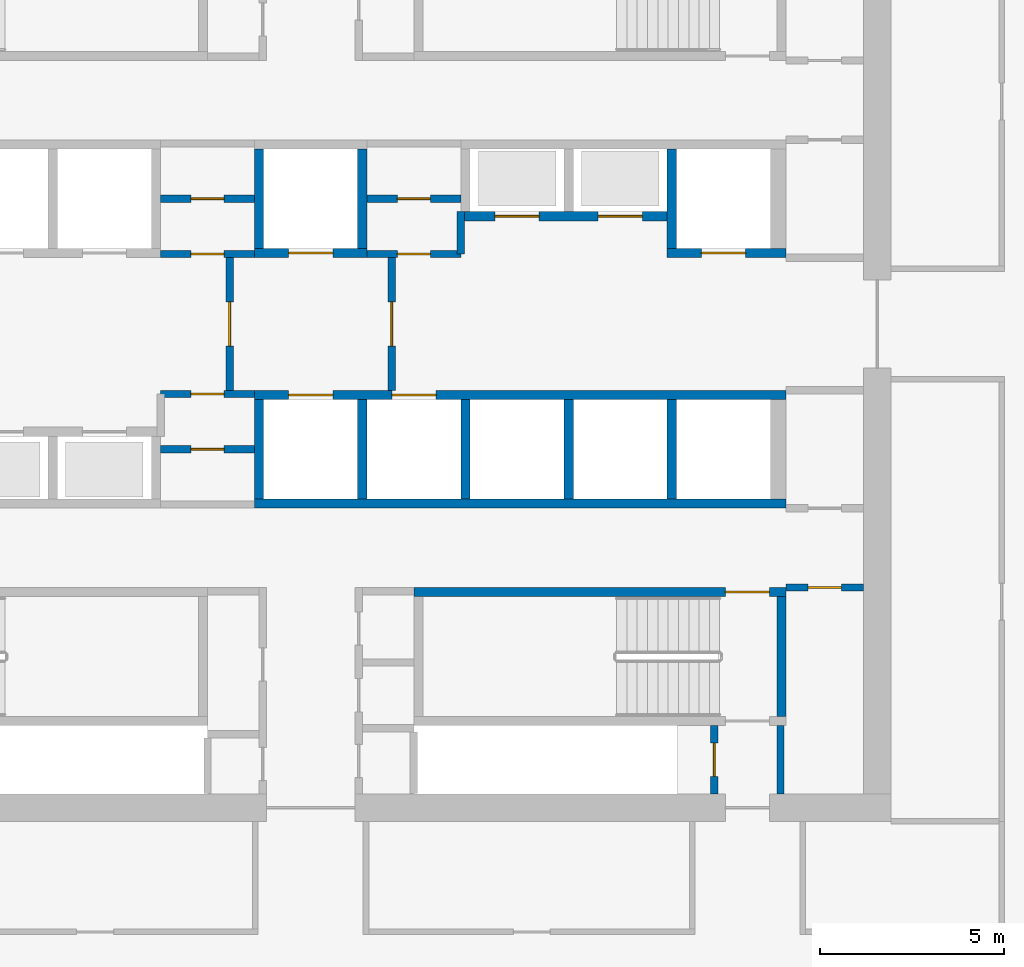
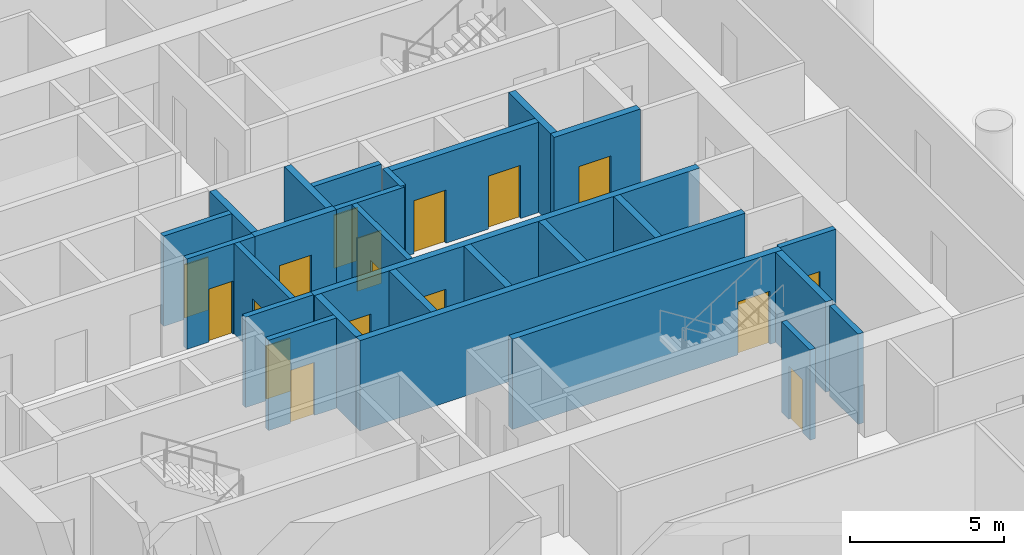
# One storey, part 11 of 24: 27 walls, 17 doors, 17 openings.
"""IFC4 building model written with IfcOpenShell, lengths in metres."""

from ifc_helpers import new_model, si_unit, direction, frame, frame_2d, origin, place, context, subcontext, project, spatial, polyline, rectangle, outline, extrude, material, layer, layer_set, type_object, element, fill, save


model = new_model("IFC4")

# Units and contexts
model_context = context("Model", 3, precision=1e-05, world=origin(), true_north=direction((0.0, 1.0)))
body_context = subcontext(model_context, "Body", "Model", "MODEL_VIEW")
ifc_project = project(units=[si_unit("LENGTHUNIT", "METRE"), si_unit("AREAUNIT", "SQUARE_METRE"), si_unit("VOLUMEUNIT", "CUBIC_METRE"), si_unit("PLANEANGLEUNIT", "RADIAN"), si_unit("MASSUNIT", "GRAM", prefix="KILO")], contexts=[model_context])

# Site, building, storey
site_placement = place(None, origin())
site = spatial("IfcSite", under=ifc_project, at=site_placement, CompositionType="ELEMENT")
building_placement = place(site_placement, origin())
building = spatial("IfcBuilding", under=site, at=building_placement, Name="Dhurran Vertical Campus", CompositionType="ELEMENT")
storey_placement = place(building_placement, frame((0.0, 0.0, 132.60009765625)))
storey = spatial("IfcBuildingStorey", under=building, at=storey_placement, Name="L32", CompositionType="ELEMENT", Elevation=132.60009765625)

# Wall, opening, door
ifc_material_1 = material(Name="Fire-rated masonry blockwork", Category="masonry")
ifc_layer_1 = layer(ifc_material_1, 0.199951171875)
ifc_layer_set_1 = layer_set([ifc_layer_1], Name="Fire-rated masonry blockwork")
wall_type_1 = type_object("IfcWallType", Name="co-FIRE-PARTITION-200", PredefinedType="PARTITIONING", material=ifc_layer_set_1)
wall_1_placement = place(storey_placement, frame((-2.199951171875, -1.800048828125, 0.0), z_axis=(0.0, 0.0, 1.0), x_axis=(0.0, 1.0, 0.0)))
wall_1 = element("IfcWall", 1, at=wall_1_placement, inside=storey, type_object=wall_type_1, Name="Firefighting lobby wall W L32", PredefinedType="PARTITIONING", context=body_context, shape_type="SweptSolid", body=[
    extrude(rectangle(XDim=3.60009765625, YDim=0.199951171875, at=frame_2d((1.800048828125, 0.0))), origin(), (0.0, 0.0, 1.0), 3.574951171875),
])
opening_1_placement = place(wall_1_placement, frame((1.199951171875, 0.0, 0.0)))
opening_1 = element("IfcOpeningElement", 2, at=opening_1_placement, cuts=wall_1, Name="Opening FL1", PredefinedType="OPENING", context=body_context, shape_type="SweptSolid", body=[
    extrude(rectangle(XDim=1.199951171875, YDim=2.10009765625, at=frame_2d((0.60009765625, 1.050048828125))), frame((0.0, 0.10986328125, 0.0), z_axis=(0.0, -1.0, 0.0), x_axis=(1.0, 0.0, 0.0)), (0.0, 0.0, 1.0), 0.219970703125),
])
ifc_material_2 = material(Name="Fire-rated steel door set", Category="steel")
door_type_1 = type_object("IfcDoorType", Name="co-D-FFLOBBY 1200x2100", OperationType="SINGLE_SWING_LEFT", PredefinedType="DOOR", material=ifc_material_2)
door_1_placement = place(opening_1_placement, origin())
door_1 = element("IfcDoor", 3, at=door_1_placement, inside=storey, type_object=door_type_1, Name="Firefighting lobby door W L32", OperationType="SINGLE_SWING_LEFT", OverallHeight=2.10009765625, OverallWidth=1.199951171875, PredefinedType="DOOR", context=body_context, shape_type="SweptSolid", body=[
    extrude(rectangle(XDim=1.199951171875, YDim=2.10009765625, at=frame_2d((0.60009765625, 1.050048828125))), frame((0.0, 0.02490234375, 0.0), z_axis=(0.0, -1.0, 0.0), x_axis=(1.0, 0.0, 0.0)), (0.0, 0.0, 1.0), 0.050048828125),
])
fill(opening_1, door_1)

wall_2_placement = place(storey_placement, frame((2.199951171875, -1.800048828125, 0.0), z_axis=(0.0, 0.0, 1.0), x_axis=(0.0, 1.0, 0.0)))
wall_2 = element("IfcWall", 4, at=wall_2_placement, inside=storey, type_object=wall_type_1, Name="Firefighting lobby wall E L32", PredefinedType="PARTITIONING", context=body_context, shape_type="SweptSolid", body=[
    extrude(rectangle(XDim=3.60009765625, YDim=0.199951171875, at=frame_2d((1.800048828125, 0.0))), origin(), (0.0, 0.0, 1.0), 3.574951171875),
])
opening_2_placement = place(wall_2_placement, frame((1.199951171875, 0.0, 0.0)))
opening_2 = element("IfcOpeningElement", 5, at=opening_2_placement, cuts=wall_2, Name="Opening FL2", PredefinedType="OPENING", context=body_context, shape_type="SweptSolid", body=[
    extrude(rectangle(XDim=1.199951171875, YDim=2.10009765625, at=frame_2d((0.60009765625, 1.050048828125))), frame((0.0, 0.10986328125, 0.0), z_axis=(0.0, -1.0, 0.0), x_axis=(1.0, 0.0, 0.0)), (0.0, 0.0, 1.0), 0.219970703125),
])
door_2_placement = place(opening_2_placement, origin())
door_2 = element("IfcDoor", 6, at=door_2_placement, inside=storey, type_object=door_type_1, Name="Firefighting lobby door E L32", OperationType="SINGLE_SWING_LEFT", OverallHeight=2.10009765625, OverallWidth=1.199951171875, PredefinedType="DOOR", context=body_context, shape_type="SweptSolid", body=[
    extrude(rectangle(XDim=1.199951171875, YDim=2.10009765625, at=frame_2d((0.60009765625, 1.050048828125))), frame((0.0, 0.02490234375, 0.0), z_axis=(0.0, -1.0, 0.0), x_axis=(1.0, 0.0, 0.0)), (0.0, 0.0, 1.0), 0.050048828125),
])
fill(opening_2, door_2)

# Wall
wall_3_placement = place(storey_placement, frame((12.75, -12.75, 0.0), z_axis=(0.0, 0.0, 1.0), x_axis=(0.0, 1.0, 0.0)))
element("IfcWall", 7, at=wall_3_placement, inside=storey, type_object=wall_type_1, Name="Core partition pass-ST4-o L32", PredefinedType="PARTITIONING", context=body_context, shape_type="SweptSolid", body=[
    extrude(rectangle(XDim=1.85009765625, YDim=0.199951171875, at=frame_2d((0.925048828125, 0.0))), origin(), (0.0, 0.0, 1.0), 3.574951171875),
])

# Wall, opening, door
wall_4_placement = place(storey_placement, frame((10.949951171875, -12.75, 0.0), z_axis=(0.0, 0.0, 1.0), x_axis=(0.0, 1.0, 0.0)))
wall_4 = element("IfcWall", 8, at=wall_4_placement, inside=storey, type_object=wall_type_1, Name="Core partition pass-ST4-i L32", PredefinedType="PARTITIONING", context=body_context, shape_type="SweptSolid", body=[
    extrude(rectangle(XDim=1.85009765625, YDim=0.199951171875, at=frame_2d((0.925048828125, 0.0))), origin(), (0.0, 0.0, 1.0), 3.574951171875),
])
opening_3_placement = place(wall_4_placement, frame((0.47509765625, 0.0, 0.0)))
opening_3 = element("IfcOpeningElement", 9, at=opening_3_placement, cuts=wall_4, Name="Opening T09-C14", PredefinedType="OPENING", context=body_context, shape_type="SweptSolid", body=[
    extrude(rectangle(XDim=0.89990234375, YDim=2.10009765625, at=frame_2d((0.449951171875, 1.050048828125))), frame((0.0, 0.10986328125, 0.0), z_axis=(0.0, -1.0, 0.0), x_axis=(1.0, 0.0, 0.0)), (0.0, 0.0, 1.0), 0.219970703125),
])
ifc_material_3 = material(Name="Fire-rated timber door set", Category="wood")
door_type_2 = type_object("IfcDoorType", Name="co-D-ROOM 900x2100", OperationType="SINGLE_SWING_LEFT", PredefinedType="DOOR", material=ifc_material_3)
door_3_placement = place(opening_3_placement, origin())
door_3 = element("IfcDoor", 10, at=door_3_placement, inside=storey, type_object=door_type_2, Name="Riser room door L32", OperationType="SINGLE_SWING_LEFT", OverallHeight=2.10009765625, OverallWidth=0.89990234375, PredefinedType="DOOR", context=body_context, shape_type="SweptSolid", body=[
    extrude(rectangle(XDim=0.89990234375, YDim=2.10009765625, at=frame_2d((0.449951171875, 1.050048828125))), frame((0.0, 0.02490234375, 0.0), z_axis=(0.0, -1.0, 0.0), x_axis=(1.0, 0.0, 0.0)), (0.0, 0.0, 1.0), 0.050048828125),
])
fill(opening_3, door_3)

wall_5_placement = place(storey_placement, frame((12.89990234375, -7.14990234375, 0.0), z_axis=(0.0, 0.0, 1.0), x_axis=(1.0, 0.0, 0.0)))
wall_5 = element("IfcWall", 11, at=wall_5_placement, inside=storey, type_object=wall_type_1, Name="Core partition en-SE-w L32", PredefinedType="PARTITIONING", context=body_context, shape_type="SweptSolid", body=[
    extrude(rectangle(XDim=2.10009765625, YDim=0.199951171875, at=frame_2d((1.050048828125, 0.0))), origin(), (0.0, 0.0, 1.0), 3.574951171875),
])
opening_4_placement = place(wall_5_placement, frame((0.60009765625, 0.0, 0.0)))
opening_4 = element("IfcOpeningElement", 12, at=opening_4_placement, cuts=wall_5, Name="Opening T09-C21", PredefinedType="OPENING", context=body_context, shape_type="SweptSolid", body=[
    extrude(rectangle(XDim=0.89990234375, YDim=2.10009765625, at=frame_2d((0.449951171875, 1.050048828125))), frame((0.0, 0.10986328125, 0.0), z_axis=(0.0, -1.0, 0.0), x_axis=(1.0, 0.0, 0.0)), (0.0, 0.0, 1.0), 0.219970703125),
])
door_4_placement = place(opening_4_placement, origin())
door_4 = element("IfcDoor", 13, at=door_4_placement, inside=storey, type_object=door_type_2, Name="Plant room door L32", OperationType="SINGLE_SWING_LEFT", OverallHeight=2.10009765625, OverallWidth=0.89990234375, PredefinedType="DOOR", context=body_context, shape_type="SweptSolid", body=[
    extrude(rectangle(XDim=0.89990234375, YDim=2.10009765625, at=frame_2d((0.449951171875, 1.050048828125))), frame((0.0, 0.02490234375, 0.0), z_axis=(0.0, -1.0, 0.0), x_axis=(1.0, 0.0, 0.0)), (0.0, 0.0, 1.0), 0.050048828125),
])
fill(opening_4, door_4)

wall_6_placement = place(storey_placement, frame((-4.074951171875, 3.39990234375, 0.0), z_axis=(0.0, 0.0, 1.0), x_axis=(1.0, 0.0, 0.0)))
wall_6 = element("IfcWall", 14, at=wall_6_placement, inside=storey, type_object=wall_type_1, Name="Core partition fr-N0-c L32", PredefinedType="PARTITIONING", context=body_context, shape_type="SweptSolid", body=[
    extrude(rectangle(XDim=2.550048828125, YDim=0.199951171875, at=frame_2d((1.27490234375, 0.0))), origin(), (0.0, 0.0, 1.0), 3.574951171875),
])
opening_5_placement = place(wall_6_placement, frame((0.824951171875, 0.0, 0.0)))
opening_5 = element("IfcOpeningElement", 15, at=opening_5_placement, cuts=wall_6, Name="Opening T09-C23", PredefinedType="OPENING", context=body_context, shape_type="SweptSolid", body=[
    extrude(rectangle(XDim=0.89990234375, YDim=2.10009765625, at=frame_2d((0.449951171875, 1.050048828125))), frame((0.0, 0.10986328125, 0.0), z_axis=(0.0, -1.0, 0.0), x_axis=(1.0, 0.0, 0.0)), (0.0, 0.0, 1.0), 0.219970703125),
])
door_5_placement = place(opening_5_placement, origin())
door_5 = element("IfcDoor", 16, at=door_5_placement, inside=storey, type_object=door_type_2, Name="Housekeeping store door L32", OperationType="SINGLE_SWING_LEFT", OverallHeight=2.10009765625, OverallWidth=0.89990234375, PredefinedType="DOOR", context=body_context, shape_type="SweptSolid", body=[
    extrude(rectangle(XDim=0.89990234375, YDim=2.10009765625, at=frame_2d((0.449951171875, 1.050048828125))), frame((0.0, 0.02490234375, 0.0), z_axis=(0.0, -1.0, 0.0), x_axis=(1.0, 0.0, 0.0)), (0.0, 0.0, 1.0), 0.050048828125),
])
fill(opening_5, door_5)

wall_7_placement = place(storey_placement, frame((-4.074951171875, 1.89990234375, 0.0), z_axis=(0.0, 0.0, 1.0), x_axis=(1.0, 0.0, 0.0)))
wall_7 = element("IfcWall", 17, at=wall_7_placement, inside=storey, type_object=wall_type_1, Name="Core partition fr-N0-f L32", PredefinedType="PARTITIONING", context=body_context, shape_type="SweptSolid", body=[
    extrude(rectangle(XDim=2.550048828125, YDim=0.199951171875, at=frame_2d((1.27490234375, 0.0))), origin(), (0.0, 0.0, 1.0), 3.574951171875),
])
opening_6_placement = place(wall_7_placement, frame((0.824951171875, 0.0, 0.0)))
opening_6 = element("IfcOpeningElement", 18, at=opening_6_placement, cuts=wall_7, Name="Opening T09-C24", PredefinedType="OPENING", context=body_context, shape_type="SweptSolid", body=[
    extrude(rectangle(XDim=0.89990234375, YDim=2.10009765625, at=frame_2d((0.449951171875, 1.050048828125))), frame((0.0, 0.10986328125, 0.0), z_axis=(0.0, -1.0, 0.0), x_axis=(1.0, 0.0, 0.0)), (0.0, 0.0, 1.0), 0.219970703125),
])
door_6_placement = place(opening_6_placement, origin())
door_6 = element("IfcDoor", 19, at=door_6_placement, inside=storey, type_object=door_type_2, Name="Housekeeping store door L32", OperationType="SINGLE_SWING_LEFT", OverallHeight=2.10009765625, OverallWidth=0.89990234375, PredefinedType="DOOR", context=body_context, shape_type="SweptSolid", body=[
    extrude(rectangle(XDim=0.89990234375, YDim=2.10009765625, at=frame_2d((0.449951171875, 1.050048828125))), frame((0.0, 0.02490234375, 0.0), z_axis=(0.0, -1.0, 0.0), x_axis=(1.0, 0.0, 0.0)), (0.0, 0.0, 1.0), 0.050048828125),
])
fill(opening_6, door_6)

wall_8_placement = place(storey_placement, frame((1.52490234375, 3.39990234375, 0.0), z_axis=(0.0, 0.0, 1.0), x_axis=(1.0, 0.0, 0.0)))
wall_8 = element("IfcWall", 20, at=wall_8_placement, inside=storey, type_object=wall_type_1, Name="Core partition fr-N1-c L32", PredefinedType="PARTITIONING", context=body_context, shape_type="SweptSolid", body=[
    extrude(rectangle(XDim=2.550048828125, YDim=0.199951171875, at=frame_2d((1.27490234375, 0.0))), origin(), (0.0, 0.0, 1.0), 3.574951171875),
])
opening_7_placement = place(wall_8_placement, frame((0.824951171875, 0.0, 0.0)))
opening_7 = element("IfcOpeningElement", 21, at=opening_7_placement, cuts=wall_8, Name="Opening T09-C25", PredefinedType="OPENING", context=body_context, shape_type="SweptSolid", body=[
    extrude(rectangle(XDim=0.89990234375, YDim=2.10009765625, at=frame_2d((0.449951171875, 1.050048828125))), frame((0.0, 0.10986328125, 0.0), z_axis=(0.0, -1.0, 0.0), x_axis=(1.0, 0.0, 0.0)), (0.0, 0.0, 1.0), 0.219970703125),
])
door_7_placement = place(opening_7_placement, origin())
door_7 = element("IfcDoor", 22, at=door_7_placement, inside=storey, type_object=door_type_2, Name="Pantry door L32", OperationType="SINGLE_SWING_LEFT", OverallHeight=2.10009765625, OverallWidth=0.89990234375, PredefinedType="DOOR", context=body_context, shape_type="SweptSolid", body=[
    extrude(rectangle(XDim=0.89990234375, YDim=2.10009765625, at=frame_2d((0.449951171875, 1.050048828125))), frame((0.0, 0.02490234375, 0.0), z_axis=(0.0, -1.0, 0.0), x_axis=(1.0, 0.0, 0.0)), (0.0, 0.0, 1.0), 0.050048828125),
])
fill(opening_7, door_7)

wall_9_placement = place(storey_placement, frame((1.52490234375, 1.89990234375, 0.0), z_axis=(0.0, 0.0, 1.0), x_axis=(1.0, 0.0, 0.0)))
wall_9 = element("IfcWall", 23, at=wall_9_placement, inside=storey, type_object=wall_type_1, Name="Core partition fr-N1-f L32", PredefinedType="PARTITIONING", context=body_context, shape_type="SweptSolid", body=[
    extrude(rectangle(XDim=2.550048828125, YDim=0.199951171875, at=frame_2d((1.27490234375, 0.0))), origin(), (0.0, 0.0, 1.0), 3.574951171875),
])
opening_8_placement = place(wall_9_placement, frame((0.824951171875, 0.0, 0.0)))
opening_8 = element("IfcOpeningElement", 24, at=opening_8_placement, cuts=wall_9, Name="Opening T09-C26", PredefinedType="OPENING", context=body_context, shape_type="SweptSolid", body=[
    extrude(rectangle(XDim=0.89990234375, YDim=2.10009765625, at=frame_2d((0.449951171875, 1.050048828125))), frame((0.0, 0.10986328125, 0.0), z_axis=(0.0, -1.0, 0.0), x_axis=(1.0, 0.0, 0.0)), (0.0, 0.0, 1.0), 0.219970703125),
])
door_8_placement = place(opening_8_placement, origin())
door_8 = element("IfcDoor", 25, at=door_8_placement, inside=storey, type_object=door_type_2, Name="Communications room door L32", OperationType="SINGLE_SWING_LEFT", OverallHeight=2.10009765625, OverallWidth=0.89990234375, PredefinedType="DOOR", context=body_context, shape_type="SweptSolid", body=[
    extrude(rectangle(XDim=0.89990234375, YDim=2.10009765625, at=frame_2d((0.449951171875, 1.050048828125))), frame((0.0, 0.02490234375, 0.0), z_axis=(0.0, -1.0, 0.0), x_axis=(1.0, 0.0, 0.0)), (0.0, 0.0, 1.0), 0.050048828125),
])
fill(opening_8, door_8)

# Wall
wall_10_placement = place(storey_placement, frame((4.074951171875, 1.89990234375, 0.0), z_axis=(0.0, 0.0, 1.0), x_axis=(0.0, 1.0, 0.0)))
element("IfcWall", 26, at=wall_10_placement, inside=storey, type_object=wall_type_1, Name="Core partition fr-N1-n1 L32", PredefinedType="PARTITIONING", context=body_context, shape_type="SweptSolid", body=[
    extrude(rectangle(XDim=1.150146484375, YDim=0.199951171875, at=frame_2d((0.5751953125, 0.0))), origin(), (0.0, 0.0, 1.0), 3.574951171875),
])

# Wall, opening, door
wall_11_placement = place(storey_placement, frame((-4.074951171875, -3.39990234375, 0.0), z_axis=(0.0, 0.0, 1.0), x_axis=(1.0, 0.0, 0.0)))
wall_11 = element("IfcWall", 27, at=wall_11_placement, inside=storey, type_object=wall_type_1, Name="Core partition fr-S0-c L32", PredefinedType="PARTITIONING", context=body_context, shape_type="SweptSolid", body=[
    extrude(rectangle(XDim=2.550048828125, YDim=0.199951171875, at=frame_2d((1.27490234375, 0.0))), origin(), (0.0, 0.0, 1.0), 3.574951171875),
])
opening_9_placement = place(wall_11_placement, frame((0.824951171875, 0.0, 0.0)))
opening_9 = element("IfcOpeningElement", 28, at=opening_9_placement, cuts=wall_11, Name="Opening T09-C27", PredefinedType="OPENING", context=body_context, shape_type="SweptSolid", body=[
    extrude(rectangle(XDim=0.89990234375, YDim=2.10009765625, at=frame_2d((0.449951171875, 1.050048828125))), frame((0.0, 0.10986328125, 0.0), z_axis=(0.0, -1.0, 0.0), x_axis=(1.0, 0.0, 0.0)), (0.0, 0.0, 1.0), 0.219970703125),
])
door_9_placement = place(opening_9_placement, origin())
door_9 = element("IfcDoor", 29, at=door_9_placement, inside=storey, type_object=door_type_2, Name="Server room door L32", OperationType="SINGLE_SWING_LEFT", OverallHeight=2.10009765625, OverallWidth=0.89990234375, PredefinedType="DOOR", context=body_context, shape_type="SweptSolid", body=[
    extrude(rectangle(XDim=0.89990234375, YDim=2.10009765625, at=frame_2d((0.449951171875, 1.050048828125))), frame((0.0, 0.02490234375, 0.0), z_axis=(0.0, -1.0, 0.0), x_axis=(1.0, 0.0, 0.0)), (0.0, 0.0, 1.0), 0.050048828125),
])
fill(opening_9, door_9)

wall_12_placement = place(storey_placement, frame((-4.074951171875, -1.89990234375, 0.0), z_axis=(0.0, 0.0, 1.0), x_axis=(1.0, 0.0, 0.0)))
wall_12 = element("IfcWall", 30, at=wall_12_placement, inside=storey, type_object=wall_type_1, Name="Core partition fr-S0-f L32", PredefinedType="PARTITIONING", context=body_context, shape_type="SweptSolid", body=[
    extrude(rectangle(XDim=2.550048828125, YDim=0.199951171875, at=frame_2d((1.27490234375, 0.0))), origin(), (0.0, 0.0, 1.0), 3.574951171875),
])
opening_10_placement = place(wall_12_placement, frame((0.824951171875, 0.0, 0.0)))
opening_10 = element("IfcOpeningElement", 31, at=opening_10_placement, cuts=wall_12, Name="Opening T09-C28", PredefinedType="OPENING", context=body_context, shape_type="SweptSolid", body=[
    extrude(rectangle(XDim=0.89990234375, YDim=2.10009765625, at=frame_2d((0.449951171875, 1.050048828125))), frame((0.0, 0.10986328125, 0.0), z_axis=(0.0, -1.0, 0.0), x_axis=(1.0, 0.0, 0.0)), (0.0, 0.0, 1.0), 0.219970703125),
])
door_10_placement = place(opening_10_placement, origin())
door_10 = element("IfcDoor", 32, at=door_10_placement, inside=storey, type_object=door_type_2, Name="Server room door L32", OperationType="SINGLE_SWING_LEFT", OverallHeight=2.10009765625, OverallWidth=0.89990234375, PredefinedType="DOOR", context=body_context, shape_type="SweptSolid", body=[
    extrude(rectangle(XDim=0.89990234375, YDim=2.10009765625, at=frame_2d((0.449951171875, 1.050048828125))), frame((0.0, 0.02490234375, 0.0), z_axis=(0.0, -1.0, 0.0), x_axis=(1.0, 0.0, 0.0)), (0.0, 0.0, 1.0), 0.050048828125),
])
fill(opening_10, door_10)

ifc_material_4 = material(Name="Concrete C50/60", Category="concrete")
ifc_layer_2 = layer(ifc_material_4, 0.25)
ifc_layer_set_2 = layer_set([ifc_layer_2], Name="Concrete C50/60")
wall_type_2 = type_object("IfcWallType", Name="co-SHAFT-FRONT-250", PredefinedType="SHEAR", material=ifc_layer_set_2)
wall_13_placement = place(storey_placement, frame((-1.52490234375, 1.925048828125, 0.0), z_axis=(0.0, 0.0, 1.0), x_axis=(1.0, 0.0, 0.0)))
wall_13 = element("IfcWall", 33, at=wall_13_placement, inside=storey, type_object=wall_type_2, Name="Lift landing wall N L32", PredefinedType="SHEAR", context=body_context, shape_type="SweptSolid", body=[
    extrude(rectangle(XDim=3.0498046875, YDim=0.25, at=frame_2d((1.52490234375, 0.0))), origin(), (0.0, 0.0, 1.0), 3.574951171875),
])
opening_11_placement = place(wall_13_placement, frame((0.925048828125, 0.0, 0.0)))
opening_11 = element("IfcOpeningElement", 34, at=opening_11_placement, cuts=wall_13, Name="Opening LD", PredefinedType="OPENING", context=body_context, shape_type="SweptSolid", body=[
    extrude(rectangle(XDim=1.199951171875, YDim=2.10009765625, at=frame_2d((0.60009765625, 1.050048828125))), frame((0.0, 0.135009765625, 0.0), z_axis=(0.0, -1.0, 0.0), x_axis=(1.0, 0.0, 0.0)), (0.0, 0.0, 1.0), 0.27001953125),
])
ifc_material_5 = material(Name="Stainless steel landing door", Category="steel")
door_type_3 = type_object("IfcDoorType", Name="co-D-LANDING 1200x2100", OperationType="DOUBLE_DOOR_SLIDING", PredefinedType="DOOR", material=ifc_material_5)
door_11_placement = place(opening_11_placement, origin())
door_11 = element("IfcDoor", 35, at=door_11_placement, inside=storey, type_object=door_type_3, Name="Landing door FF1 L32", OperationType="DOUBLE_DOOR_SLIDING", OverallHeight=2.10009765625, OverallWidth=1.199951171875, PredefinedType="DOOR", context=body_context, shape_type="SweptSolid", body=[
    extrude(rectangle(XDim=1.199951171875, YDim=2.10009765625, at=frame_2d((0.60009765625, 1.050048828125))), frame((0.0, 0.02490234375, 0.0), z_axis=(0.0, -1.0, 0.0), x_axis=(1.0, 0.0, 0.0)), (0.0, 0.0, 1.0), 0.050048828125),
])
fill(opening_11, door_11)

# Wall, openings, doors
wall_14_placement = place(storey_placement, frame((4.074951171875, 2.925048828125, 0.0), z_axis=(0.0, 0.0, 1.0), x_axis=(1.0, 0.0, 0.0)))
wall_14 = element("IfcWall", 36, at=wall_14_placement, inside=storey, type_object=wall_type_2, Name="Lift landing wall N L32", PredefinedType="SHEAR", context=body_context, shape_type="SweptSolid", body=[
    extrude(rectangle(XDim=5.85009765625, YDim=0.25, at=frame_2d((2.925048828125, 0.0))), origin(), (0.0, 0.0, 1.0), 3.574951171875),
])
opening_12_placement = place(wall_14_placement, frame((0.925048828125, 0.0, 0.0)))
opening_12 = element("IfcOpeningElement", 37, at=opening_12_placement, cuts=wall_14, Name="Opening LD", PredefinedType="OPENING", context=body_context, shape_type="SweptSolid", body=[
    extrude(rectangle(XDim=1.199951171875, YDim=2.10009765625, at=frame_2d((0.60009765625, 1.050048828125))), frame((0.0, 0.135009765625, 0.0), z_axis=(0.0, -1.0, 0.0), x_axis=(1.0, 0.0, 0.0)), (0.0, 0.0, 1.0), 0.27001953125),
])
opening_13_placement = place(wall_14_placement, frame((3.72509765625, 0.0, 0.0)))
opening_13 = element("IfcOpeningElement", 38, at=opening_13_placement, cuts=wall_14, Name="Opening LD", PredefinedType="OPENING", context=body_context, shape_type="SweptSolid", body=[
    extrude(rectangle(XDim=1.199951171875, YDim=2.10009765625, at=frame_2d((0.60009765625, 1.050048828125))), frame((0.0, 0.135009765625, 0.0), z_axis=(0.0, -1.0, 0.0), x_axis=(1.0, 0.0, 0.0)), (0.0, 0.0, 1.0), 0.27001953125),
])
door_12_placement = place(opening_12_placement, origin())
door_12 = element("IfcDoor", 39, at=door_12_placement, inside=storey, type_object=door_type_3, Name="Landing door MR1 L32", OperationType="DOUBLE_DOOR_SLIDING", OverallHeight=2.10009765625, OverallWidth=1.199951171875, PredefinedType="DOOR", context=body_context, shape_type="SweptSolid", body=[
    extrude(rectangle(XDim=1.199951171875, YDim=2.10009765625, at=frame_2d((0.60009765625, 1.050048828125))), frame((0.0, 0.02490234375, 0.0), z_axis=(0.0, -1.0, 0.0), x_axis=(1.0, 0.0, 0.0)), (0.0, 0.0, 1.0), 0.050048828125),
])
fill(opening_12, door_12)
door_13_placement = place(opening_13_placement, origin())
door_13 = element("IfcDoor", 40, at=door_13_placement, inside=storey, type_object=door_type_3, Name="Landing door MR2 L32", OperationType="DOUBLE_DOOR_SLIDING", OverallHeight=2.10009765625, OverallWidth=1.199951171875, PredefinedType="DOOR", context=body_context, shape_type="SweptSolid", body=[
    extrude(rectangle(XDim=1.199951171875, YDim=2.10009765625, at=frame_2d((0.60009765625, 1.050048828125))), frame((0.0, 0.02490234375, 0.0), z_axis=(0.0, -1.0, 0.0), x_axis=(1.0, 0.0, 0.0)), (0.0, 0.0, 1.0), 0.050048828125),
])
fill(opening_13, door_13)

# Wall, opening, door
wall_15_placement = place(storey_placement, frame((9.675048828125, 1.925048828125, 0.0), z_axis=(0.0, 0.0, 1.0), x_axis=(1.0, 0.0, 0.0)))
wall_15 = element("IfcWall", 41, at=wall_15_placement, inside=storey, type_object=wall_type_2, Name="Lift landing wall N L32", PredefinedType="SHEAR", context=body_context, shape_type="SweptSolid", body=[
    extrude(rectangle(XDim=3.224853515625, YDim=0.25, at=frame_2d((1.6123046875, 0.0))), origin(), (0.0, 0.0, 1.0), 3.574951171875),
])
opening_14_placement = place(wall_15_placement, frame((0.925048828125, 0.0, 0.0)))
opening_14 = element("IfcOpeningElement", 42, at=opening_14_placement, cuts=wall_15, Name="Opening LD", PredefinedType="OPENING", context=body_context, shape_type="SweptSolid", body=[
    extrude(rectangle(XDim=1.199951171875, YDim=2.10009765625, at=frame_2d((0.60009765625, 1.050048828125))), frame((0.0, 0.135009765625, 0.0), z_axis=(0.0, -1.0, 0.0), x_axis=(1.0, 0.0, 0.0)), (0.0, 0.0, 1.0), 0.27001953125),
])
door_14_placement = place(opening_14_placement, origin())
door_14 = element("IfcDoor", 43, at=door_14_placement, inside=storey, type_object=door_type_3, Name="Landing door SV2 L32", OperationType="DOUBLE_DOOR_SLIDING", OverallHeight=2.10009765625, OverallWidth=1.199951171875, PredefinedType="DOOR", context=body_context, shape_type="SweptSolid", body=[
    extrude(rectangle(XDim=1.199951171875, YDim=2.10009765625, at=frame_2d((0.60009765625, 1.050048828125))), frame((0.0, 0.02490234375, 0.0), z_axis=(0.0, -1.0, 0.0), x_axis=(1.0, 0.0, 0.0)), (0.0, 0.0, 1.0), 0.050048828125),
])
fill(opening_14, door_14)

# Wall, openings, doors
wall_16_placement = place(storey_placement, frame((-1.52490234375, -1.925048828125, 0.0), z_axis=(0.0, 0.0, 1.0), x_axis=(1.0, 0.0, 0.0)))
wall_16 = element("IfcWall", 44, at=wall_16_placement, inside=storey, type_object=wall_type_2, Name="Lift landing wall S L32", PredefinedType="SHEAR", context=body_context, shape_type="SweptSolid", body=[
    extrude(rectangle(XDim=14.4248046875, YDim=0.25, at=frame_2d((7.21240234375, 0.0))), origin(), (0.0, 0.0, 1.0), 3.574951171875),
])
opening_15_placement = place(wall_16_placement, frame((0.925048828125, 0.0, 0.0)))
opening_15 = element("IfcOpeningElement", 45, at=opening_15_placement, cuts=wall_16, Name="Opening LD", PredefinedType="OPENING", context=body_context, shape_type="SweptSolid", body=[
    extrude(rectangle(XDim=1.199951171875, YDim=2.10009765625, at=frame_2d((0.60009765625, 1.050048828125))), frame((0.0, 0.135009765625, 0.0), z_axis=(0.0, -1.0, 0.0), x_axis=(1.0, 0.0, 0.0)), (0.0, 0.0, 1.0), 0.27001953125),
])
opening_16_placement = place(wall_16_placement, frame((3.72509765625, 0.0, 0.0)))
opening_16 = element("IfcOpeningElement", 46, at=opening_16_placement, cuts=wall_16, Name="Opening LD", PredefinedType="OPENING", context=body_context, shape_type="SweptSolid", body=[
    extrude(rectangle(XDim=1.199951171875, YDim=2.10009765625, at=frame_2d((0.60009765625, 1.050048828125))), frame((0.0, 0.135009765625, 0.0), z_axis=(0.0, -1.0, 0.0), x_axis=(1.0, 0.0, 0.0)), (0.0, 0.0, 1.0), 0.27001953125),
])
door_15_placement = place(opening_15_placement, origin())
door_15 = element("IfcDoor", 47, at=door_15_placement, inside=storey, type_object=door_type_3, Name="Landing door FF2 L32", OperationType="DOUBLE_DOOR_SLIDING", OverallHeight=2.10009765625, OverallWidth=1.199951171875, PredefinedType="DOOR", context=body_context, shape_type="SweptSolid", body=[
    extrude(rectangle(XDim=1.199951171875, YDim=2.10009765625, at=frame_2d((0.60009765625, 1.050048828125))), frame((0.0, 0.02490234375, 0.0), z_axis=(0.0, -1.0, 0.0), x_axis=(1.0, 0.0, 0.0)), (0.0, 0.0, 1.0), 0.050048828125),
])
fill(opening_15, door_15)
door_16_placement = place(opening_16_placement, origin())
door_16 = element("IfcDoor", 48, at=door_16_placement, inside=storey, type_object=door_type_3, Name="Landing door SV1 L32", OperationType="DOUBLE_DOOR_SLIDING", OverallHeight=2.10009765625, OverallWidth=1.199951171875, PredefinedType="DOOR", context=body_context, shape_type="SweptSolid", body=[
    extrude(rectangle(XDim=1.199951171875, YDim=2.10009765625, at=frame_2d((0.60009765625, 1.050048828125))), frame((0.0, 0.02490234375, 0.0), z_axis=(0.0, -1.0, 0.0), x_axis=(1.0, 0.0, 0.0)), (0.0, 0.0, 1.0), 0.050048828125),
])
fill(opening_16, door_16)

# Walls
ifc_material_6 = material(Name="Concrete C50/60", Category="concrete")
ifc_layer_3 = layer(ifc_material_6, 0.25)
ifc_layer_set_3 = layer_set([ifc_layer_3], Name="Concrete C50/60")
wall_type_3 = type_object("IfcWallType", Name="co-SHAFT-MASS-250", PredefinedType="SHEAR", material=ifc_layer_set_3)
wall_17_placement = place(storey_placement, origin())
element("IfcWall", 49, at=wall_17_placement, inside=storey, type_object=wall_type_3, Name="Lift shaft wall N L32 8", PredefinedType="SHEAR", context=body_context, shape_type="SweptSolid", body=[
    extrude(outline(polyline([(-1.52490234375, 2.050048828125), (-1.27490234375, 2.050048828125), (-1.27490234375, 4.75), (-1.52490234375, 4.75), (-1.52490234375, 2.050048828125)])), origin(), (0.0, 0.0, 1.0), 3.574951171875),
])
wall_18_placement = place(storey_placement, origin())
element("IfcWall", 50, at=wall_18_placement, inside=storey, type_object=wall_type_3, Name="Lift shaft wall N L32 9", PredefinedType="SHEAR", context=body_context, shape_type="SweptSolid", body=[
    extrude(outline(polyline([(1.27490234375, 2.050048828125), (1.52490234375, 2.050048828125), (1.52490234375, 4.75), (1.27490234375, 4.75), (1.27490234375, 2.050048828125)])), origin(), (0.0, 0.0, 1.0), 3.574951171875),
])
wall_19_placement = place(storey_placement, origin())
element("IfcWall", 51, at=wall_19_placement, inside=storey, type_object=wall_type_3, Name="Lift shaft wall N L32 10", PredefinedType="SHEAR", context=body_context, shape_type="SweptSolid", body=[
    extrude(outline(polyline([(9.675048828125, 2.050048828125), (9.925048828125, 2.050048828125), (9.925048828125, 4.75), (9.675048828125, 4.75), (9.675048828125, 2.050048828125)])), origin(), (0.0, 0.0, 1.0), 3.574951171875),
])
wall_20_placement = place(storey_placement, origin())
element("IfcWall", 52, at=wall_20_placement, inside=storey, type_object=wall_type_3, Name="Lift shaft wall S L32 2", PredefinedType="SHEAR", context=body_context, shape_type="SweptSolid", body=[
    extrude(outline(polyline([(-1.52490234375, -5.0), (12.89990234375, -5.0), (12.89990234375, -4.75), (-1.52490234375, -4.75), (-1.52490234375, -5.0)])), origin(), (0.0, 0.0, 1.0), 3.574951171875),
])
wall_21_placement = place(storey_placement, origin())
element("IfcWall", 53, at=wall_21_placement, inside=storey, type_object=wall_type_3, Name="Lift shaft wall S L32 7", PredefinedType="SHEAR", context=body_context, shape_type="SweptSolid", body=[
    extrude(outline(polyline([(-1.52490234375, -4.75), (-1.27490234375, -4.75), (-1.27490234375, -2.050048828125), (-1.52490234375, -2.050048828125), (-1.52490234375, -4.75)])), origin(), (0.0, 0.0, 1.0), 3.574951171875),
])
wall_22_placement = place(storey_placement, origin())
element("IfcWall", 54, at=wall_22_placement, inside=storey, type_object=wall_type_3, Name="Lift shaft wall S L32 8", PredefinedType="SHEAR", context=body_context, shape_type="SweptSolid", body=[
    extrude(outline(polyline([(1.27490234375, -4.75), (1.52490234375, -4.75), (1.52490234375, -2.050048828125), (1.27490234375, -2.050048828125), (1.27490234375, -4.75)])), origin(), (0.0, 0.0, 1.0), 3.574951171875),
])
wall_23_placement = place(storey_placement, origin())
element("IfcWall", 55, at=wall_23_placement, inside=storey, type_object=wall_type_3, Name="Lift shaft wall S L32 9", PredefinedType="SHEAR", context=body_context, shape_type="SweptSolid", body=[
    extrude(outline(polyline([(4.074951171875, -4.75), (4.324951171875, -4.75), (4.324951171875, -2.050048828125), (4.074951171875, -2.050048828125), (4.074951171875, -4.75)])), origin(), (0.0, 0.0, 1.0), 3.574951171875),
])
wall_24_placement = place(storey_placement, origin())
element("IfcWall", 56, at=wall_24_placement, inside=storey, type_object=wall_type_3, Name="Lift shaft wall S L32 10", PredefinedType="SHEAR", context=body_context, shape_type="SweptSolid", body=[
    extrude(outline(polyline([(6.875, -4.75), (7.125, -4.75), (7.125, -2.050048828125), (6.875, -2.050048828125), (6.875, -4.75)])), origin(), (0.0, 0.0, 1.0), 3.574951171875),
])
wall_25_placement = place(storey_placement, origin())
element("IfcWall", 57, at=wall_25_placement, inside=storey, type_object=wall_type_3, Name="Lift shaft wall S L32 11", PredefinedType="SHEAR", context=body_context, shape_type="SweptSolid", body=[
    extrude(outline(polyline([(9.675048828125, -4.75), (9.925048828125, -4.75), (9.925048828125, -2.050048828125), (9.675048828125, -2.050048828125), (9.675048828125, -4.75)])), origin(), (0.0, 0.0, 1.0), 3.574951171875),
])

# Wall, opening, door
ifc_material_7 = material(Name="Concrete C40/50", Category="concrete")
ifc_layer_4 = layer(ifc_material_7, 0.25)
ifc_layer_set_4 = layer_set([ifc_layer_4], Name="Concrete C40/50")
wall_type_4 = type_object("IfcWallType", Name="co-STAIR-WALL-250", PredefinedType="SHEAR", material=ifc_layer_set_4)
wall_26_placement = place(storey_placement, frame((2.800048828125, -7.27490234375, 0.0), z_axis=(0.0, 0.0, 1.0), x_axis=(1.0, 0.0, 0.0)))
wall_26 = element("IfcWall", 58, at=wall_26_placement, inside=storey, type_object=wall_type_4, Name="Stair ST4 enclosure wall L32", PredefinedType="SHEAR", context=body_context, shape_type="SweptSolid", body=[
    extrude(rectangle(XDim=10.099853515625, YDim=0.25, at=frame_2d((5.0498046875, 0.0))), origin(), (0.0, 0.0, 1.0), 3.574951171875),
])
opening_17_placement = place(wall_26_placement, frame((8.449951171875, 0.0, 0.0)))
opening_17 = element("IfcOpeningElement", 59, at=opening_17_placement, cuts=wall_26, Name="Opening SD4", PredefinedType="OPENING", context=body_context, shape_type="SweptSolid", body=[
    extrude(rectangle(XDim=1.199951171875, YDim=2.10009765625, at=frame_2d((0.60009765625, 1.050048828125))), frame((0.0, 0.135009765625, 0.0), z_axis=(0.0, -1.0, 0.0), x_axis=(1.0, 0.0, 0.0)), (0.0, 0.0, 1.0), 0.27001953125),
])
ifc_material_8 = material(Name="Fire-rated steel door set", Category="steel")
door_type_4 = type_object("IfcDoorType", Name="co-D-STAIR 1200x2100", OperationType="SINGLE_SWING_LEFT", PredefinedType="DOOR", material=ifc_material_8)
door_17_placement = place(opening_17_placement, origin())
door_17 = element("IfcDoor", 60, at=door_17_placement, inside=storey, type_object=door_type_4, Name="Stair ST4 door L32", OperationType="SINGLE_SWING_LEFT", OverallHeight=2.10009765625, OverallWidth=1.199951171875, PredefinedType="DOOR", context=body_context, shape_type="SweptSolid", body=[
    extrude(rectangle(XDim=1.199951171875, YDim=2.10009765625, at=frame_2d((0.60009765625, 1.050048828125))), frame((0.0, 0.02490234375, 0.0), z_axis=(0.0, -1.0, 0.0), x_axis=(1.0, 0.0, 0.0)), (0.0, 0.0, 1.0), 0.050048828125),
])
fill(opening_17, door_17)

# Wall
wall_27_placement = place(storey_placement, frame((12.77490234375, -10.64990234375, 0.0), z_axis=(0.0, 0.0, 1.0), x_axis=(0.0, 1.0, 0.0)))
element("IfcWall", 61, at=wall_27_placement, inside=storey, type_object=wall_type_4, Name="Stair ST4 enclosure wall L32", PredefinedType="SHEAR", context=body_context, shape_type="SweptSolid", body=[
    extrude(rectangle(XDim=3.25, YDim=0.25, at=frame_2d((1.625, 0.0))), origin(), (0.0, 0.0, 1.0), 3.574951171875),
])

save(model, "model.ifc")
